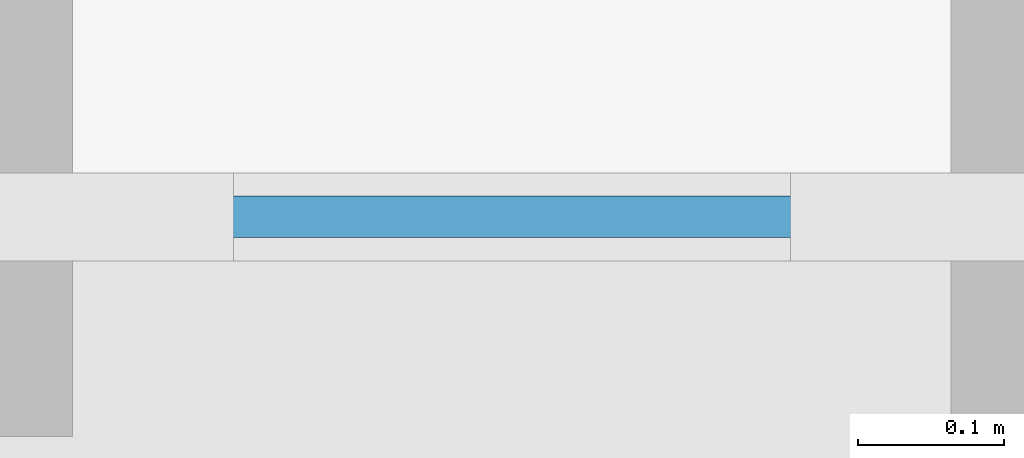
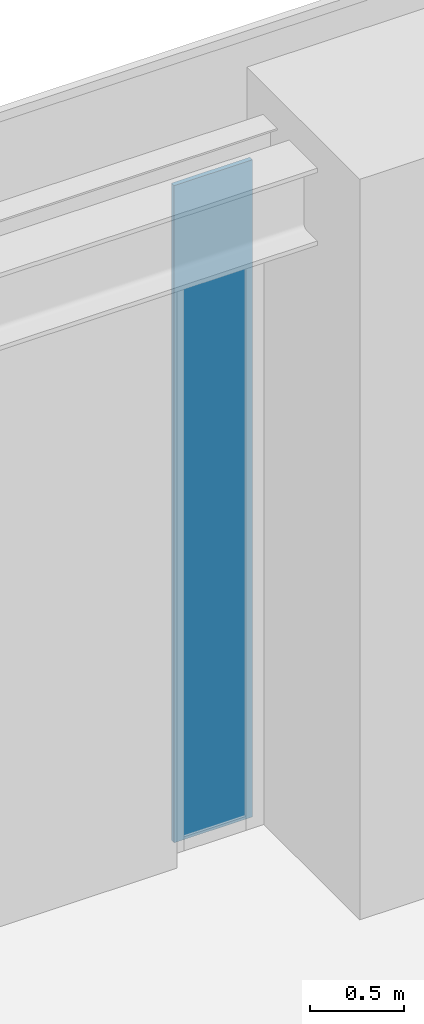
# One storey, part 32 of 53: 1 plate, 1 element without a shape of its own.
"""IFC4 building model written with IfcOpenShell, lengths in metres."""

from ifc_helpers import new_model, si_unit, direction, frame, origin, origin_2d, place, context, subcontext, project, spatial, rectangle, extrude, material, layer, layer_set, type_object, element, aggregate, save


model = new_model("IFC4")

# Units and contexts
model_context = context("Model", 3, precision=1e-05, world=origin(), true_north=direction((0.0, 1.0)))
body_context = subcontext(model_context, "Body", "Model", "MODEL_VIEW")
ifc_project = project(units=[si_unit("LENGTHUNIT", "METRE"), si_unit("AREAUNIT", "SQUARE_METRE"), si_unit("VOLUMEUNIT", "CUBIC_METRE"), si_unit("PLANEANGLEUNIT", "RADIAN"), si_unit("MASSUNIT", "GRAM", prefix="KILO")], contexts=[model_context])

# Site, building, storey
site_placement = place(None, origin())
site = spatial("IfcSite", under=ifc_project, at=site_placement, CompositionType="ELEMENT")
building_placement = place(site_placement, origin())
building = spatial("IfcBuilding", under=site, at=building_placement, Name="Khepri Terraces", CompositionType="ELEMENT")
storey_placement = place(building_placement, frame((0.0, 0.0, 7.199951171875)))
storey = spatial("IfcBuildingStorey", under=building, at=storey_placement, Name="L01", CompositionType="ELEMENT", Elevation=7.199951171875)

# Curtain wall, plate
ifc_material_1 = material(Name="Anodised aluminium bronze curtain wall", Category="aluminium")
curtain_wall_type = type_object("IfcCurtainWallType", Name="CW-SYS2-PODIUM", PredefinedType="NOTDEFINED", material=ifc_material_1)
curtain_wall_placement = place(storey_placement, origin())
curtain_wall = element("IfcCurtainWall", 1, at=curtain_wall_placement, inside=storey, type_object=curtain_wall_type, Name="Curtain wall CW2 L01 N", PredefinedType="NOTDEFINED")
ifc_material_2 = material(Name="Clear glass", Category="glass")
ifc_layer = layer(ifc_material_2, 0.028076171875, Name="Clear glass", Category="glass")
ifc_layer_set = layer_set([ifc_layer], Name="Clear glass")
plate_type = type_object("IfcPlateType", Name="CW-PANEL-VISION-28", PredefinedType="CURTAIN_PANEL", material=ifc_layer_set)
plate_placement = place(storey_placement, frame((-0.89990234375, 42.449951171875, 0.06005859375), z_axis=(0.0, 0.0, 1.0), x_axis=(-1.0, 0.0, 0.0)))
plate = element("IfcPlate", 2, at=plate_placement, type_object=plate_type, Name="CW2 panel 1.1", PredefinedType="CURTAIN_PANEL", context=body_context, shape_type="SweptSolid", body=[
    extrude(rectangle(XDim=0.47998046875, YDim=0.028076171875, at=origin_2d()), origin(), (0.0, 0.0, 1.0), 4.260009765625),
])
aggregate(curtain_wall, [plate])

save(model, "model.ifc")
